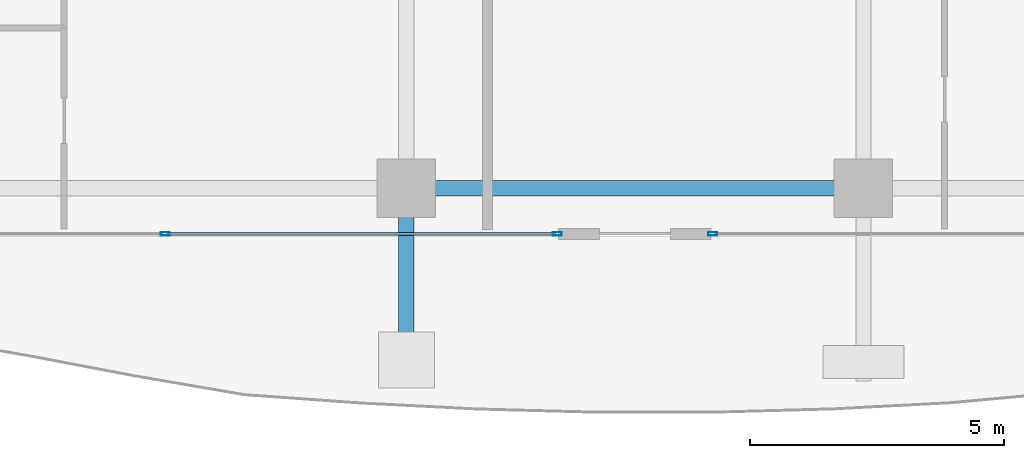
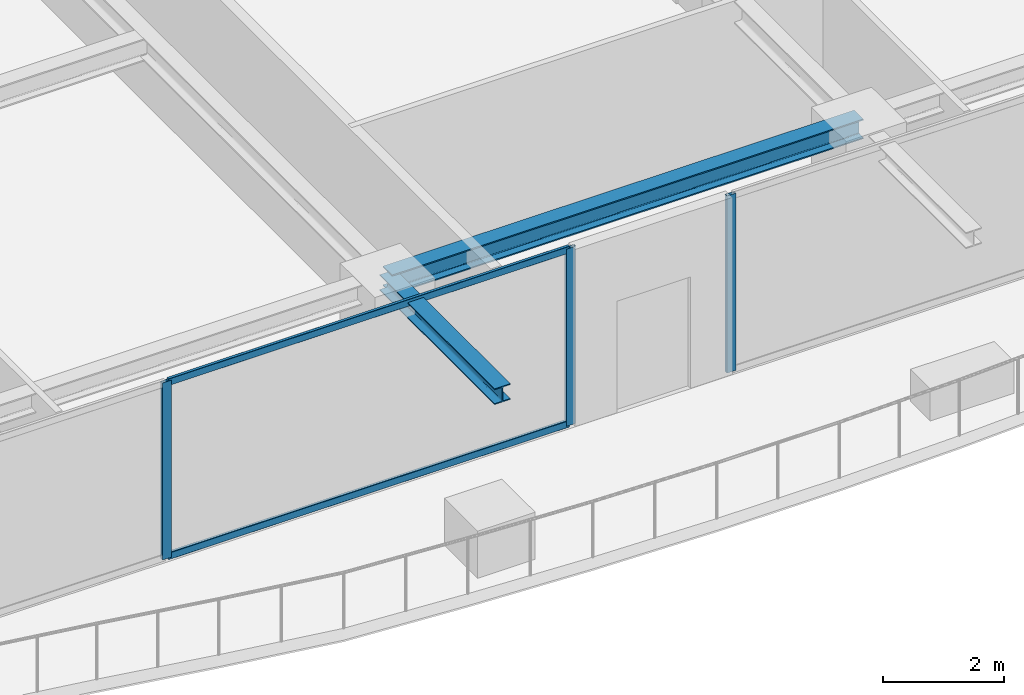
# One storey, part 5 of 35: 5 members, 2 beams, 2 elements without a shape of their own.
"""IFC4 building model written with IfcOpenShell, lengths in metres."""

import ifcopenshell
import ifcopenshell.guid

model = None  # the IFC model being written
_history = None  # IfcOwnerHistory: only IFC2X3 demands one
_inside = {}  # id of a spatial element -> (the spatial element, [elements in it])
_under = {}  # id of a project, library or spatial element -> (it, [spatial elements below it])
_declared = {}  # id of a project -> (the project, [libraries it declares])
_typed = {}  # id of a type object -> (the type object, [elements of that type])
_made_of = {}  # id of a material, layer set ... -> (it, [elements and type objects made of it])


def new_model(schema):
    """Start an empty IFC model of exactly this schema.

    Asked for "IFC4X3", IfcOpenShell would pick the latest addendum, in which some entities
    have other attributes; the version numbers below select the first issue.
    IFC2X3 requires an IfcOwnerHistory on every rooted entity: one is made here for all.
    """
    global model, _history
    if schema == "IFC4X3":
        model = ifcopenshell.file(schema_version=(4, 3, 0, 0))
    else:
        model = ifcopenshell.file(schema=schema)
    _inside.clear()
    _under.clear()
    _declared.clear()
    _typed.clear()
    _made_of.clear()
    _history = None
    if model.schema == "IFC2X3":
        org = make("IfcOrganization", Name="unknown")
        user = make(
            "IfcPersonAndOrganization",
            ThePerson=make("IfcPerson", FamilyName="unknown"),
            TheOrganization=org,
        )
        app = make(
            "IfcApplication",
            ApplicationDeveloper=org,
            Version="unknown",
            ApplicationFullName="unknown",
            ApplicationIdentifier="unknown",
        )
        _history = make(
            "IfcOwnerHistory",
            OwningUser=user,
            OwningApplication=app,
            ChangeAction="ADDED",
            CreationDate=0,
        )
    return model


def make(cls, **values):
    """One entity of the class cls with the attributes given. An attribute that is None is left unset."""
    return model.create_entity(
        cls, **{name: value for name, value in values.items() if value is not None}
    )


def rooted(cls, **values):
    """An entity with a GlobalId (a new one), such as an element, a storey or a relation."""
    return make(cls, GlobalId=ifcopenshell.guid.new(), OwnerHistory=_history, **values)


def si_unit(unit_type, name, prefix=None):
    """IfcSIUnit, for example si_unit("LENGTHUNIT", "METRE", prefix="MILLI")."""
    return make("IfcSIUnit", UnitType=unit_type, Prefix=prefix, Name=name)


def assignment(units):
    """IfcUnitAssignment: the units of a project."""
    return None if units is None else make("IfcUnitAssignment", Units=units)


def point(xyz):
    """IfcCartesianPoint."""
    return None if xyz is None else make("IfcCartesianPoint", Coordinates=xyz)


def direction(xyz):
    """IfcDirection."""
    return None if xyz is None else make("IfcDirection", DirectionRatios=xyz)


def frame(location, z_axis=None, x_axis=None):
    """IfcAxis2Placement3D, a coordinate frame: its origin and axes. An axis left out is left unset."""
    return make(
        "IfcAxis2Placement3D",
        Location=point(location),
        Axis=direction(z_axis),
        RefDirection=direction(x_axis),
    )


def frame_2d(location, x_axis=None):
    """IfcAxis2Placement2D, a coordinate frame in the plane: its origin and x axis."""
    return make(
        "IfcAxis2Placement2D", Location=point(location), RefDirection=direction(x_axis)
    )


def origin():
    """The frame at (0, 0, 0) with its axes left unset."""
    return frame((0.0, 0.0, 0.0))


def origin_2d():
    """The frame at (0, 0) in the plane with its x axis left unset."""
    return frame_2d((0.0, 0.0))


def place(relative_to, where):
    """IfcLocalPlacement: puts the frame where relative to a parent placement (None: the world)."""
    return make(
        "IfcLocalPlacement", PlacementRelTo=relative_to, RelativePlacement=where
    )


def context(
    kind, dimensions, precision=None, world=None, true_north=None, identifier=None
):
    """IfcGeometricRepresentationContext, for example the 3D "Model" context."""
    return make(
        "IfcGeometricRepresentationContext",
        ContextIdentifier=identifier,
        ContextType=kind,
        CoordinateSpaceDimension=dimensions,
        Precision=precision,
        WorldCoordinateSystem=world,
        TrueNorth=true_north,
    )


def subcontext(parent, identifier, kind, view, scale=None):
    """IfcGeometricRepresentationSubContext, for example "Body" below "Model"."""
    return make(
        "IfcGeometricRepresentationSubContext",
        ContextIdentifier=identifier,
        ContextType=kind,
        ParentContext=parent,
        TargetScale=scale,
        TargetView=view,
    )


def project(units=None, contexts=None):
    """IfcProject with its units and contexts."""
    return rooted(
        "IfcProject",
        Name="project",
        RepresentationContexts=contexts,
        UnitsInContext=assignment(units),
    )


def spatial(cls, under=None, at=None, **own):
    """A site, building, storey or space (cls), placed at a placement, below another one or the project."""
    s = rooted(cls, ObjectPlacement=at, **own)
    if under is not None:
        _under.setdefault(under.id(), (under, []))[1].append(s)
    return s


def profile(cls, at=None, kind="AREA", **sizes):
    """A parametric profile (cls). Its sizes go by their IFC names, for example OverallWidth=200.0."""
    return make(cls, ProfileType=kind, Position=at, **sizes)


def hollow_rectangle(**sizes):
    """IfcRectangleHollowProfileDef."""
    return profile("IfcRectangleHollowProfileDef", **sizes)


def i_section(**sizes):
    """IfcIShapeProfileDef."""
    return profile("IfcIShapeProfileDef", **sizes)


def extrude(swept, where, along, depth):
    """IfcExtrudedAreaSolid: the profile swept, set in the frame where, extruded along a direction by depth."""
    return make(
        "IfcExtrudedAreaSolid",
        SweptArea=swept,
        Position=where,
        ExtrudedDirection=direction(along),
        Depth=depth,
    )


def shape(context_of_items, identifier, shape_type, items):
    """IfcShapeRepresentation: the items that make up one representation, for example the "Body"."""
    return make(
        "IfcShapeRepresentation",
        ContextOfItems=context_of_items,
        RepresentationIdentifier=identifier,
        RepresentationType=shape_type,
        Items=items,
    )


def source(mapping_origin, context_of_items, identifier, shape_type, items):
    """IfcRepresentationMap: a shape defined once, which mapped items show again and again."""
    return make(
        "IfcRepresentationMap",
        MappingOrigin=mapping_origin,
        MappedRepresentation=shape(context_of_items, identifier, shape_type, items),
    )


def transform(
    local_origin,
    x_axis=None,
    y_axis=None,
    z_axis=None,
    scale=None,
    scale2=None,
    scale3=None,
    uniform=True,
):
    """IfcCartesianTransformationOperator3D, or its non-uniform kind. x_axis, y_axis, z_axis: its Axis1, 2, 3."""
    if uniform:
        return make(
            "IfcCartesianTransformationOperator3D",
            Axis1=direction(x_axis),
            Axis2=direction(y_axis),
            LocalOrigin=point(local_origin),
            Scale=scale,
            Axis3=direction(z_axis),
        )
    return make(
        "IfcCartesianTransformationOperator3DnonUniform",
        Axis1=direction(x_axis),
        Axis2=direction(y_axis),
        LocalOrigin=point(local_origin),
        Scale=scale,
        Axis3=direction(z_axis),
        Scale2=scale2,
        Scale3=scale3,
    )


def mapped(mapping_source, mapping_target):
    """IfcMappedItem: shows the shape of a source again, moved by a transform."""
    return make(
        "IfcMappedItem", MappingSource=mapping_source, MappingTarget=mapping_target
    )


def material(Name=None, Category=None):
    """IfcMaterial."""
    return make("IfcMaterial", Name=Name, Category=Category)


def layer(
    of_material, thickness, ventilated=None, Name=None, Category=None, Priority=None
):
    """IfcMaterialLayer: one layer of a wall or slab, of a material (None: an air gap)."""
    return make(
        "IfcMaterialLayer",
        Material=of_material,
        LayerThickness=thickness,
        IsVentilated=ventilated,
        Name=Name,
        Category=Category,
        Priority=Priority,
    )


def layer_set(layers, Name=None):
    """IfcMaterialLayerSet."""
    return make("IfcMaterialLayerSet", MaterialLayers=layers, LayerSetName=Name)


def material_profile(
    of_material, cross_section, Name=None, Category=None, Priority=None
):
    """IfcMaterialProfile: a cross section and its material."""
    return make(
        "IfcMaterialProfile",
        Name=Name,
        Material=of_material,
        Profile=cross_section,
        Priority=Priority,
        Category=Category,
    )


def profile_set(profiles, Name=None, composite=None):
    """IfcMaterialProfileSet."""
    return make(
        "IfcMaterialProfileSet",
        Name=Name,
        MaterialProfiles=profiles,
        CompositeProfile=composite,
    )


def made_of(thing, what):
    """Note that an element or type object is made of a material, layer set ...; save() writes the relation."""
    if what is not None:
        _made_of.setdefault(what.id(), (what, []))[1].append(thing)
    return thing


def type_object(cls, material=None, **own):
    """A type object (cls), such as IfcWallType, which elements share."""
    return made_of(rooted(cls, **own), material)


def element(
    cls,
    number,
    at=None,
    inside=None,
    cuts=None,
    type_object=None,
    material=None,
    context=None,
    identifier="Body",
    shape_type=None,
    held_by="IfcProductDefinitionShape",
    body=None,
    shapes=None,
    **own,
):
    """One element of the class cls, such as IfcWall. Its Tag is "e" and its number.

    at: its placement. inside: the storey or other place that contains it. cuts: it is an
    opening in that element (IfcRelVoidsElement). A single representation is given by context,
    identifier, shape_type and body (its items); several are given by shapes. held_by: the class
    of the entity that holds the representations. save() writes the other relations.
    """
    e = rooted(cls, Tag="e%d" % number, ObjectPlacement=at, **own)
    if body is not None:
        shapes = [shape(context, identifier, shape_type, body)]
    if shapes is not None:
        e.Representation = make(held_by, Representations=shapes)
    if inside is not None:
        _inside.setdefault(inside.id(), (inside, []))[1].append(e)
    if cuts is not None:
        rooted(
            "IfcRelVoidsElement", RelatingBuildingElement=cuts, RelatedOpeningElement=e
        )
    if type_object is not None:
        _typed.setdefault(type_object.id(), (type_object, []))[1].append(e)
    return made_of(e, material)


def aggregate(whole, parts):
    """IfcRelAggregates: a whole, such as a stair, and the parts it consists of."""
    return rooted("IfcRelAggregates", RelatingObject=whole, RelatedObjects=parts)


def save(model, path):
    """Write the relations noted so far, then the file.

    IfcRelAggregates (storeys below a building ...), IfcRelContainedInSpatialStructure (elements
    in a storey), IfcRelDefinesByType, IfcRelAssociatesMaterial and IfcRelDeclares: one each for
    every whole, place, type object, material and project.
    """
    for whole, parts in _under.values():
        aggregate(whole, parts)
    for where, things in _inside.values():
        rooted(
            "IfcRelContainedInSpatialStructure",
            RelatedElements=things,
            RelatingStructure=where,
        )
    for kind, things in _typed.values():
        rooted("IfcRelDefinesByType", RelatedObjects=things, RelatingType=kind)
    for what, things in _made_of.values():
        rooted("IfcRelAssociatesMaterial", RelatedObjects=things, RelatingMaterial=what)
    for by, libraries in _declared.values():
        rooted("IfcRelDeclares", RelatingContext=by, RelatedDefinitions=libraries)
    model.write(path)


model = new_model("IFC4")

# Units and contexts
model_context = context("Model", 3, precision=1e-05, world=origin(), true_north=direction((0.0, 1.0)))
body_context = subcontext(model_context, "Body", "Model", "MODEL_VIEW")
ifc_project = project(units=[si_unit("LENGTHUNIT", "METRE"), si_unit("AREAUNIT", "SQUARE_METRE"), si_unit("VOLUMEUNIT", "CUBIC_METRE"), si_unit("PLANEANGLEUNIT", "RADIAN"), si_unit("MASSUNIT", "GRAM", prefix="KILO")], contexts=[model_context])

# Site, building, storey
site_placement = place(None, origin())
site = spatial("IfcSite", under=ifc_project, at=site_placement, CompositionType="ELEMENT")
building_placement = place(site_placement, origin())
building = spatial("IfcBuilding", under=site, at=building_placement, Name="Serunith Strait Residences", CompositionType="ELEMENT")
storey_placement = place(building_placement, frame((0.0, 0.0, 214.300048828125)))
storey = spatial("IfcBuildingStorey", under=building, at=storey_placement, Name="L53", CompositionType="ELEMENT", Elevation=214.300048828125)

# Beams
ifc_material_1 = material(Name="Steel S355J2", Category="steel")
ifc_material_profile_1 = material_profile(ifc_material_1, i_section(OverallWidth=0.300048828125, OverallDepth=0.39990234375, WebThickness=0.013427734375, FlangeThickness=0.02392578125, FilletRadius=0.027099609375, at=origin_2d()), Name="HEB 400")
ifc_profile_set_1 = profile_set([ifc_material_profile_1], Name="Steel S355J2")
beam_type_1 = type_object("IfcBeamType", Name="BM-HEB400", PredefinedType="BEAM", material=ifc_profile_set_1)
shared_shape_1 = source(origin(), body_context, "Body", "SweptSolid", [
    extrude(i_section(OverallWidth=0.300048828125, OverallDepth=0.39990234375, WebThickness=0.013427734375, FlangeThickness=0.02392578125, FilletRadius=0.027099609375, at=origin_2d()), origin(), (0.0, 0.0, 1.0), 9.0),
])
beam_1_placement = place(storey_placement, frame((27.89990234375, 2.10009765625, 3.386962890625), z_axis=(1.0, 0.0, 0.0), x_axis=(0.0, 1.0, 0.0)))
element("IfcBeam", 1, at=beam_1_placement, inside=storey, type_object=beam_type_1, Name="L53 Perimeter Ring Beam 02", PredefinedType="BEAM", context=body_context, shape_type="MappedRepresentation", body=[
    mapped(shared_shape_1, transform((0.0, 0.0, 0.0), scale=1.0)),
])
ifc_material_profile_2 = material_profile(ifc_material_1, i_section(OverallWidth=0.300048828125, OverallDepth=0.320068359375, WebThickness=0.011474609375, FlangeThickness=0.0205078125, FilletRadius=0.027099609375, at=origin_2d()), Name="HEB 320")
ifc_profile_set_2 = profile_set([ifc_material_profile_2], Name="Steel S355J2")
beam_type_2 = type_object("IfcBeamType", Name="BM-HEB320", PredefinedType="BEAM", material=ifc_profile_set_2)
shared_shape_2 = source(origin(), body_context, "Body", "SweptSolid", [
    extrude(i_section(OverallWidth=0.300048828125, OverallDepth=0.320068359375, WebThickness=0.011474609375, FlangeThickness=0.0205078125, FilletRadius=0.027099609375, at=origin_2d()), origin(), (0.0, 0.0, 1.0), 3.800048828125),
])
beam_2_placement = place(storey_placement, frame((27.89990234375, 2.10009765625, 3.39697265625), z_axis=(0.0, -1.0, 0.0), x_axis=(1.0, 0.0, 0.0)))
element("IfcBeam", 2, at=beam_2_placement, inside=storey, type_object=beam_type_2, Name="L54 Cantilevered Balcony Rib TC-S2", PredefinedType="BEAM", context=body_context, shape_type="MappedRepresentation", body=[
    mapped(shared_shape_2, transform((0.0, 0.0, 0.0), scale=1.0)),
])

# Curtain wall, members
ifc_material_2 = material(Name="Pale-Champagne Anodised Aluminium", Category="aluminium")
ifc_layer = layer(ifc_material_2, 0.199951171875, Name="Pale-Champagne Anodised Aluminium")
ifc_layer_set = layer_set([ifc_layer], Name="Pale-Champagne Anodised Aluminium")
curtain_wall_type = type_object("IfcCurtainWallType", Name="CW-SYS4", PredefinedType="NOTDEFINED", material=ifc_layer_set)
curtain_wall_1_placement = place(storey_placement, origin())
curtain_wall_1 = element("IfcCurtainWall", 3, at=curtain_wall_1_placement, inside=storey, type_object=curtain_wall_type, Name="L53 S Unitised Fritted Curtain Wall", PredefinedType="NOTDEFINED")
ifc_material_profile_3 = material_profile(ifc_material_2, hollow_rectangle(XDim=0.06494140625, YDim=0.179931640625, WallThickness=0.00341796875, InnerFilletRadius=0.00537109375, OuterFilletRadius=0.0087890625, at=origin_2d()), Name="ALU 180x65x3.5")
ifc_profile_set_3 = profile_set([ifc_material_profile_3], Name="Pale-Champagne Anodised Aluminium")
member_type_1 = type_object("IfcMemberType", Name="CW-SYS4-MULL", PredefinedType="MULLION", material=ifc_profile_set_3)
shared_shape_3 = source(origin(), body_context, "Body", "SweptSolid", [
    extrude(hollow_rectangle(XDim=0.06494140625, YDim=0.179931640625, WallThickness=0.00341796875, InnerFilletRadius=0.00537109375, OuterFilletRadius=0.0087890625, at=origin_2d()), origin(), (0.0, 0.0, 1.0), 3.574951171875),
])
member_1_placement = place(storey_placement, frame((23.14990234375, 1.199951171875, 0.0), z_axis=(0.0, 0.0, 1.0), x_axis=(0.0, 1.0, 0.0)))
member_1 = element("IfcMember", 4, at=member_1_placement, type_object=member_type_1, Name="CW-4 mullion 2", PredefinedType="MULLION", context=body_context, shape_type="MappedRepresentation", body=[
    mapped(shared_shape_3, transform((0.0, 0.0, 0.0), scale=1.0)),
])
member_2_placement = place(storey_placement, frame((30.867431640625, 1.199951171875, 0.0), z_axis=(0.0, 0.0, 1.0), x_axis=(0.0, 1.0, 0.0)))
member_2 = element("IfcMember", 5, at=member_2_placement, type_object=member_type_1, Name="CW-4 mullion 3", PredefinedType="MULLION", context=body_context, shape_type="MappedRepresentation", body=[
    mapped(shared_shape_3, transform((0.0, 0.0, 0.0), scale=1.0)),
])

# Curtain wall, member
curtain_wall_2_placement = place(storey_placement, origin())
curtain_wall_2 = element("IfcCurtainWall", 6, at=curtain_wall_2_placement, inside=storey, type_object=curtain_wall_type, Name="L53 S Unitised Fritted Curtain Wall", PredefinedType="NOTDEFINED")
member_3_placement = place(storey_placement, frame((33.9326171875, 1.199951171875, 0.0), z_axis=(0.0, 0.0, 1.0), x_axis=(0.0, 1.0, 0.0)))
member_3 = element("IfcMember", 7, at=member_3_placement, type_object=member_type_1, Name="CW-4 mullion 1", PredefinedType="MULLION", context=body_context, shape_type="MappedRepresentation", body=[
    mapped(shared_shape_3, transform((0.0, 0.0, 0.0), scale=1.0)),
])
aggregate(curtain_wall_2, [member_3])

# Member
ifc_material_profile_4 = material_profile(ifc_material_2, hollow_rectangle(XDim=0.06005859375, YDim=0.139892578125, WallThickness=0.00341796875, InnerFilletRadius=0.00537109375, OuterFilletRadius=0.0087890625, at=origin_2d()), Name="ALU 140x60x3.5")
ifc_profile_set_4 = profile_set([ifc_material_profile_4], Name="Pale-Champagne Anodised Aluminium")
member_type_2 = type_object("IfcMemberType", Name="CW-SYS4-TRAN", PredefinedType="USERDEFINED", material=ifc_profile_set_4)
shared_shape_4 = source(origin(), body_context, "Body", "SweptSolid", [
    extrude(hollow_rectangle(XDim=0.06005859375, YDim=0.139892578125, WallThickness=0.00341796875, InnerFilletRadius=0.00537109375, OuterFilletRadius=0.0087890625, at=origin_2d()), origin(), (0.0, 0.0, 1.0), 7.65234375),
])
member_4_placement = place(storey_placement, frame((23.1826171875, 1.199951171875, 0.030029296875), z_axis=(1.0, 0.0, 0.0), x_axis=(0.0, 1.0, 0.0)))
member_4 = element("IfcMember", 8, at=member_4_placement, type_object=member_type_2, Name="CW-4 transom 2.1", ObjectType="TRANSOM", PredefinedType="USERDEFINED", context=body_context, shape_type="MappedRepresentation", body=[
    mapped(shared_shape_4, transform((0.0, 0.0, 0.0), scale=1.0)),
])

member_5_placement = place(storey_placement, frame((23.1826171875, 1.199951171875, 3.544921875), z_axis=(1.0, 0.0, 0.0), x_axis=(0.0, 1.0, 0.0)))
member_5 = element("IfcMember", 9, at=member_5_placement, type_object=member_type_2, Name="CW-4 transom 2.2", ObjectType="TRANSOM", PredefinedType="USERDEFINED", context=body_context, shape_type="MappedRepresentation", body=[
    mapped(shared_shape_4, transform((0.0, 0.0, 0.0), scale=1.0)),
])

aggregate(curtain_wall_1, [member_1, member_2, member_4, member_5])

save(model, "model.ifc")
